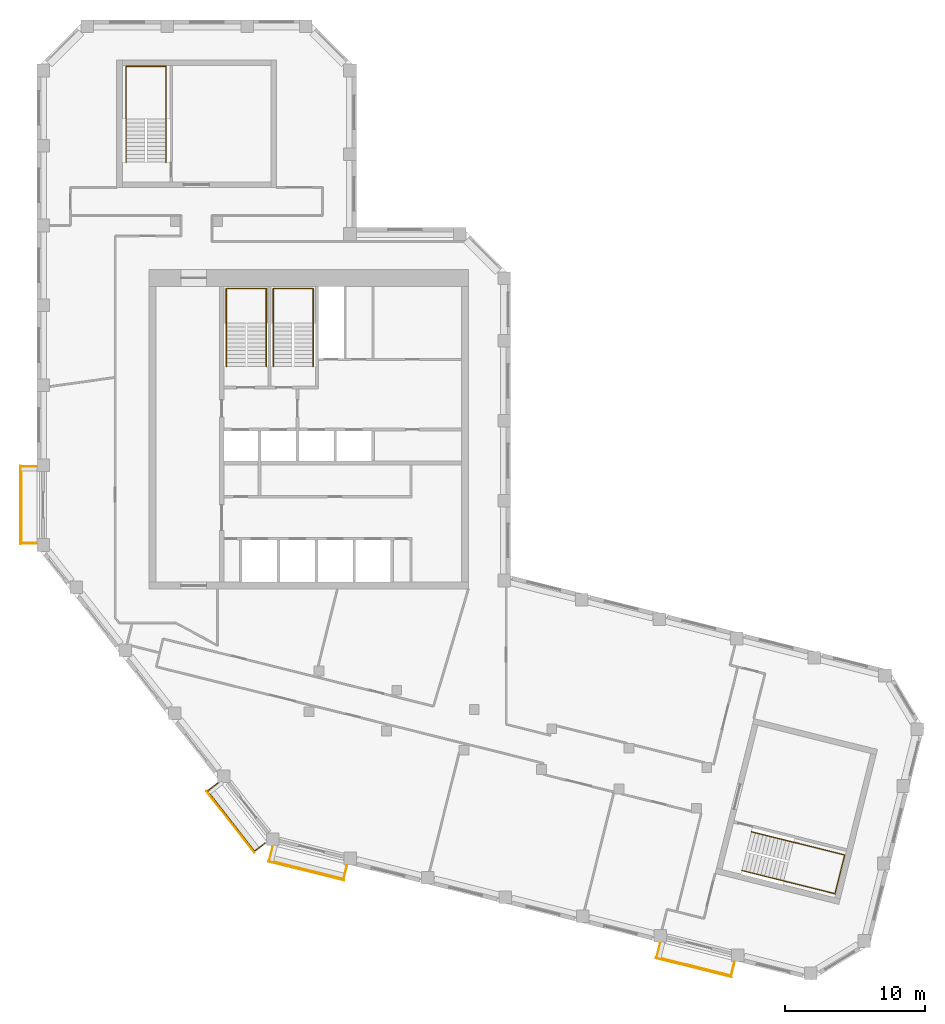
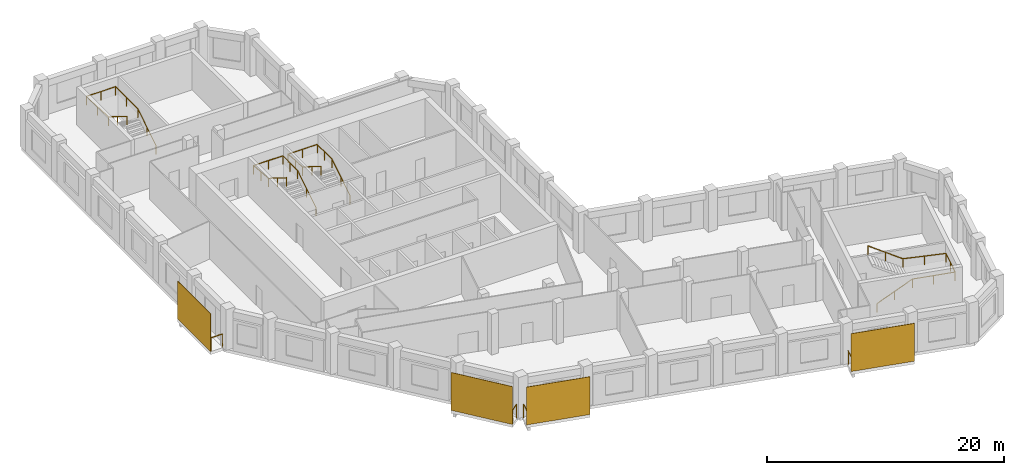
# One storey, part 8 of 8: 8 railings, 4 shading devices.
"""IFC4 building model written with IfcOpenShell, lengths in metres."""

from ifc_helpers import new_model, si_unit, direction, frame, origin, origin_2d, place, context, subcontext, project, spatial, rectangle, circle, extrude, material, layer, layer_set, type_object, element, save


model = new_model("IFC4")

# Units and contexts
model_context = context("Model", 3, precision=1e-05, world=origin(), true_north=direction((0.0, 1.0)))
body_context = subcontext(model_context, "Body", "Model", "MODEL_VIEW")
ifc_project = project(units=[si_unit("LENGTHUNIT", "METRE"), si_unit("AREAUNIT", "SQUARE_METRE"), si_unit("VOLUMEUNIT", "CUBIC_METRE"), si_unit("PLANEANGLEUNIT", "RADIAN"), si_unit("MASSUNIT", "GRAM", prefix="KILO")], contexts=[model_context])

# Site, building, storey
site_placement = place(None, origin())
site = spatial("IfcSite", under=ifc_project, at=site_placement, CompositionType="ELEMENT")
building_placement = place(site_placement, origin())
building = spatial("IfcBuilding", under=site, at=building_placement, Name="Meshkara Civic Tower", CompositionType="ELEMENT")
storey_placement = place(building_placement, frame((0.0, 0.0, 358.199951171875)))
storey = spatial("IfcBuildingStorey", under=building, at=storey_placement, Name="L82", CompositionType="ELEMENT", Elevation=358.199951171875)

# Railings
ifc_material_1 = material(Name="Steel S355", Category="steel")
railing_type_1 = type_object("IfcRailingType", Name="BALUSTRADE GUARD 1400", PredefinedType="BALUSTRADE", material=ifc_material_1)
railing_1_placement = place(storey_placement, frame((0.0, 22.8349609375, 0.0)))
element("IfcRailing", 1, at=railing_1_placement, inside=storey, type_object=railing_type_1, Name="Balcony guard", PredefinedType="BALUSTRADE", context=body_context, shape_type="SweptSolid", body=[
    extrude(circle(Radius=0.02392578125, at=origin_2d()), frame((0.0, 0.0, 1.3759765625), z_axis=(-1.0, 0.0, 0.0), x_axis=(0.0, -1.0, 0.0)), (0.0, 0.0, 1.0), 1.110107421875),
    extrude(circle(Radius=0.02392578125, at=origin_2d()), frame((-1.110107421875, 0.0, 1.3759765625), z_axis=(0.0, -1.0, 0.0), x_axis=(1.0, 0.0, 0.0)), (0.0, 0.0, 1.0), 5.4599609375),
    extrude(circle(Radius=0.02392578125, at=origin_2d()), frame((-1.110107421875, -5.4599609375, 1.3759765625), z_axis=(1.0, 0.0, 0.0), x_axis=(0.0, 1.0, 0.0)), (0.0, 0.0, 1.0), 1.110107421875),
    extrude(circle(Radius=0.02099609375, at=origin_2d()), origin(), (0.0, 0.0, 1.0), 1.351806640625),
    extrude(circle(Radius=0.02099609375, at=origin_2d()), frame((-1.110107421875, 0.0, 0.0)), (0.0, 0.0, 1.0), 1.351806640625),
    extrude(circle(Radius=0.02099609375, at=origin_2d()), frame((-1.110107421875, -1.092041015625, 0.0)), (0.0, 0.0, 1.0), 1.351806640625),
    extrude(circle(Radius=0.02099609375, at=origin_2d()), frame((-1.110107421875, -2.18408203125, 0.0)), (0.0, 0.0, 1.0), 1.351806640625),
    extrude(circle(Radius=0.02099609375, at=origin_2d()), frame((-1.110107421875, -3.27587890625, 0.0)), (0.0, 0.0, 1.0), 1.351806640625),
    extrude(circle(Radius=0.02099609375, at=origin_2d()), frame((-1.110107421875, -4.367919921875, 0.0)), (0.0, 0.0, 1.0), 1.351806640625),
    extrude(circle(Radius=0.02099609375, at=origin_2d()), frame((-1.110107421875, -5.4599609375, 0.0)), (0.0, 0.0, 1.0), 1.351806640625),
    extrude(circle(Radius=0.02099609375, at=origin_2d()), frame((0.0, -5.4599609375, 0.0)), (0.0, 0.0, 1.0), 1.351806640625),
])
railing_2_placement = place(storey_placement, frame((12.91796875, 0.27001953125, 0.0)))
element("IfcRailing", 2, at=railing_2_placement, inside=storey, type_object=railing_type_1, Name="Balcony guard", PredefinedType="BALUSTRADE", context=body_context, shape_type="SweptSolid", body=[
    extrude(circle(Radius=0.02392578125, at=origin_2d()), frame((0.0, 0.0, 1.3759765625), z_axis=(-0.788430880583, -0.615123358801, 0.0), x_axis=(0.615123358801, -0.788430880583, 0.0)), (0.0, 0.0, 1.0), 0.92822265625),
    extrude(circle(Radius=0.02392578125, at=origin_2d()), frame((-0.73193359375, -0.571044921875, 1.3759765625), z_axis=(0.615684818606, -0.787992515281, 0.0), x_axis=(0.787992515281, 0.615684818606, 0.0)), (0.0, 0.0, 1.0), 5.460693359375),
    extrude(circle(Radius=0.02392578125, at=origin_2d()), frame((2.630126953125, -4.8740234375, 1.3759765625), z_axis=(0.787920766417, 0.615776636329, 0.0), x_axis=(-0.615776636329, 0.787920766417, 0.0)), (0.0, 0.0, 1.0), 0.928955078125),
    extrude(circle(Radius=0.02099609375, at=origin_2d()), origin(), (0.0, 0.0, 1.0), 1.351806640625),
    extrude(circle(Radius=0.02099609375, at=origin_2d()), frame((-0.73193359375, -0.571044921875, 0.0)), (0.0, 0.0, 1.0), 1.351806640625),
    extrude(circle(Radius=0.02099609375, at=origin_2d()), frame((-0.0595703125, -1.431640625, 0.0)), (0.0, 0.0, 1.0), 1.351806640625),
    extrude(circle(Radius=0.02099609375, at=origin_2d()), frame((0.61279296875, -2.292236328125, 0.0)), (0.0, 0.0, 1.0), 1.351806640625),
    extrude(circle(Radius=0.02099609375, at=origin_2d()), frame((1.285400390625, -3.15283203125, 0.0)), (0.0, 0.0, 1.0), 1.351806640625),
    extrude(circle(Radius=0.02099609375, at=origin_2d()), frame((1.957763671875, -4.013427734375, 0.0)), (0.0, 0.0, 1.0), 1.351806640625),
    extrude(circle(Radius=0.02099609375, at=origin_2d()), frame((2.630126953125, -4.8740234375, 0.0)), (0.0, 0.0, 1.0), 1.351806640625),
    extrude(circle(Radius=0.02099609375, at=origin_2d()), frame((3.362060546875, -4.302001953125, 0.0)), (0.0, 0.0, 1.0), 1.351806640625),
])
railing_3_placement = place(storey_placement, frame((16.8359375, -4.2958984375, 0.0)))
element("IfcRailing", 3, at=railing_3_placement, inside=storey, type_object=railing_type_1, Name="Balcony guard", PredefinedType="BALUSTRADE", context=body_context, shape_type="SweptSolid", body=[
    extrude(circle(Radius=0.02392578125, at=origin_2d()), frame((0.0, 0.0, 1.3759765625), z_axis=(-0.24213955905, -0.97024143075, 0.0), x_axis=(0.97024143075, -0.24213955905, 0.0)), (0.0, 0.0, 1.0), 1.015380859375),
    extrude(circle(Radius=0.02392578125, at=origin_2d()), frame((-0.245849609375, -0.985107421875, 1.3759765625), z_axis=(0.970289613784, -0.241946410147, 0.0), x_axis=(0.241946410147, 0.970289613784, 0.0)), (0.0, 0.0, 1.0), 5.4599609375),
    extrude(circle(Radius=0.02392578125, at=origin_2d()), frame((5.052001953125, -2.30615234375, 1.3759765625), z_axis=(0.242365897307, 0.970184916303, 0.0), x_axis=(-0.970184916303, 0.242365897307, 0.0)), (0.0, 0.0, 1.0), 1.015380859375),
    extrude(circle(Radius=0.02099609375, at=origin_2d()), origin(), (0.0, 0.0, 1.0), 1.351806640625),
    extrude(circle(Radius=0.02099609375, at=origin_2d()), frame((-0.245849609375, -0.985107421875, 0.0)), (0.0, 0.0, 1.0), 1.351806640625),
    extrude(circle(Radius=0.02099609375, at=origin_2d()), frame((0.813720703125, -1.249267578125, 0.0)), (0.0, 0.0, 1.0), 1.351806640625),
    extrude(circle(Radius=0.02099609375, at=origin_2d()), frame((1.873291015625, -1.513427734375, 0.0)), (0.0, 0.0, 1.0), 1.351806640625),
    extrude(circle(Radius=0.02099609375, at=origin_2d()), frame((2.932861328125, -1.77783203125, 0.0)), (0.0, 0.0, 1.0), 1.351806640625),
    extrude(circle(Radius=0.02099609375, at=origin_2d()), frame((3.992431640625, -2.0419921875, 0.0)), (0.0, 0.0, 1.0), 1.351806640625),
    extrude(circle(Radius=0.02099609375, at=origin_2d()), frame((5.052001953125, -2.30615234375, 0.0)), (0.0, 0.0, 1.0), 1.351806640625),
    extrude(circle(Radius=0.02099609375, at=origin_2d()), frame((5.298095703125, -1.321044921875, 0.0)), (0.0, 0.0, 1.0), 1.351806640625),
])
railing_4_placement = place(storey_placement, frame((44.489013671875, -11.19091796875, 0.0)))
element("IfcRailing", 4, at=railing_4_placement, inside=storey, type_object=railing_type_1, Name="Balcony guard", PredefinedType="BALUSTRADE", context=body_context, shape_type="SweptSolid", body=[
    extrude(circle(Radius=0.02392578125, at=origin_2d()), frame((0.0, 0.0, 1.3759765625), z_axis=(-0.242592252133, -0.970128341615, 0.0), x_axis=(0.970128341615, -0.242592252133, 0.0)), (0.0, 0.0, 1.0), 1.014404296875),
    extrude(circle(Radius=0.02392578125, at=origin_2d()), frame((-0.24609375, -0.984130859375, 1.3759765625), z_axis=(0.970292231073, -0.24193591366, 0.0), x_axis=(0.24193591366, 0.970292231073, 0.0)), (0.0, 0.0, 1.0), 5.460205078125),
    extrude(circle(Radius=0.02392578125, at=origin_2d()), frame((5.052001953125, -2.30517578125, 1.3759765625), z_axis=(0.242592252133, 0.970128341615, 0.0), x_axis=(-0.970128341615, 0.242592252133, 0.0)), (0.0, 0.0, 1.0), 1.014404296875),
    extrude(circle(Radius=0.02099609375, at=origin_2d()), origin(), (0.0, 0.0, 1.0), 1.351806640625),
    extrude(circle(Radius=0.02099609375, at=origin_2d()), frame((-0.24609375, -0.984130859375, 0.0)), (0.0, 0.0, 1.0), 1.351806640625),
    extrude(circle(Radius=0.02099609375, at=origin_2d()), frame((0.8134765625, -1.248291015625, 0.0)), (0.0, 0.0, 1.0), 1.351806640625),
    extrude(circle(Radius=0.02099609375, at=origin_2d()), frame((1.873046875, -1.512451171875, 0.0)), (0.0, 0.0, 1.0), 1.351806640625),
    extrude(circle(Radius=0.02099609375, at=origin_2d()), frame((2.932861328125, -1.77685546875, 0.0)), (0.0, 0.0, 1.0), 1.351806640625),
    extrude(circle(Radius=0.02099609375, at=origin_2d()), frame((3.992431640625, -2.041015625, 0.0)), (0.0, 0.0, 1.0), 1.351806640625),
    extrude(circle(Radius=0.02099609375, at=origin_2d()), frame((5.052001953125, -2.30517578125, 0.0)), (0.0, 0.0, 1.0), 1.351806640625),
    extrude(circle(Radius=0.02099609375, at=origin_2d()), frame((5.298095703125, -1.321044921875, 0.0)), (0.0, 0.0, 1.0), 1.351806640625),
])

# Shading devices
ifc_material_2 = material(Name="Perforated bronze anodised aluminium sheet", Category="aluminium")
ifc_layer = layer(ifc_material_2, 0.0400390625)
ifc_layer_set = layer_set([ifc_layer], Name="PERFORATED BRONZE SCREEN")
shading_device_type = type_object("IfcShadingDeviceType", Name="PERFORATED BRONZE SCREEN", PredefinedType="USERDEFINED", material=ifc_layer_set)
for number, where, z_axis, x_axis, name in (
    (5, (-1.179931640625, 20.10498046875, 0.0), (0.0, 0.0, 1.0), (0.0, -1.0, 0.0), "Balcony screen"),
    (6, (13.81201171875, -2.4951171875, 0.0), (0.0, 0.0, 1.0), (0.615661475326, -0.788010753607, 0.0), "Balcony screen"),
    (7, (19.221923828125, -6.009033203125, 0.0), (0.0, 0.0, 1.0), (0.970295726276, -0.2419218956, 0.0), "Balcony screen"),
    (8, (46.875, -12.904052734375, 0.0), (0.0, 0.0, 1.0), (0.970295726276, -0.2419218956, 0.0), "Balcony screen"),
):
    element("IfcShadingDevice", number, at=place(storey_placement, frame(where, z_axis=z_axis, x_axis=x_axis)), inside=storey, type_object=shading_device_type, Name=name, ObjectType="SCREEN", PredefinedType="USERDEFINED", context=body_context, shape_type="SweptSolid", body=[
        extrude(rectangle(XDim=5.580078125, YDim=0.0400390625, at=origin_2d()), origin(), (0.0, 0.0, 1.0), 3.89990234375),
    ])

# Railings
ifc_material_3 = material(Name="Steel handrail", Category="steel")
railing_type_2 = type_object("IfcRailingType", Name="Stair handrail 900", PredefinedType="HANDRAIL", material=ifc_material_3)
railing_5_placement = place(storey_placement, frame((16.375, 30.0, 0.175048828125)))
element("IfcRailing", 9, at=railing_5_placement, inside=storey, type_object=railing_type_2, Name="L82 ST1 stair handrail 1", PredefinedType="HANDRAIL", context=body_context, shape_type="SweptSolid", body=[
    extrude(circle(Radius=0.02392578125, at=origin_2d()), frame((0.0, 0.0, 0.8759765625), z_axis=(0.0, 0.847998304005, 0.529998940003), x_axis=(-1.0, 0.0, 0.0)), (0.0, 0.0, 1.0), 3.632080078125),
    extrude(circle(Radius=0.02392578125, at=origin_2d()), frame((0.0, 3.080078125, 2.80078125), z_axis=(0.0, 1.0, 0.0), x_axis=(-1.0, 0.0, 0.0)), (0.0, 0.0, 1.0), 2.469970703125),
    extrude(circle(Radius=0.02392578125, at=origin_2d()), frame((0.0, 5.550048828125, 2.80078125), z_axis=(-1.0, 0.0, 0.0), x_axis=(0.0, -1.0, 0.0)), (0.0, 0.0, 1.0), 2.85009765625),
    extrude(circle(Radius=0.02392578125, at=origin_2d()), frame((-2.85009765625, 5.550048828125, 2.80078125), z_axis=(0.0, -0.997498084828, 0.070693498747), x_axis=(1.0, 0.0, 0.0)), (0.0, 0.0, 1.0), 2.47607421875),
    extrude(circle(Radius=0.02392578125, at=origin_2d()), frame((-2.85009765625, 3.080078125, 2.97607421875), z_axis=(0.0, -0.848028513186, 0.529950602248), x_axis=(1.0, 0.0, 0.0)), (0.0, 0.0, 1.0), 3.632080078125),
    extrude(circle(Radius=0.02099609375, at=origin_2d()), origin(), (0.0, 0.0, 1.0), 0.851806640625),
    extrude(circle(Radius=0.02099609375, at=origin_2d()), frame((0.0, 1.5400390625, 0.96240234375)), (0.0, 0.0, 1.0), 0.851806640625),
    extrude(circle(Radius=0.02099609375, at=origin_2d()), frame((0.0, 3.080078125, 1.925048828125)), (0.0, 0.0, 1.0), 0.851806640625),
    extrude(circle(Radius=0.02099609375, at=origin_2d()), frame((0.0, 4.31494140625, 1.925048828125)), (0.0, 0.0, 1.0), 0.851806640625),
    extrude(circle(Radius=0.02099609375, at=origin_2d()), frame((0.0, 5.550048828125, 1.925048828125)), (0.0, 0.0, 1.0), 0.851806640625),
    extrude(circle(Radius=0.02099609375, at=origin_2d()), frame((-1.425048828125, 5.550048828125, 1.925048828125)), (0.0, 0.0, 1.0), 0.851806640625),
    extrude(circle(Radius=0.02099609375, at=origin_2d()), frame((-2.85009765625, 5.550048828125, 1.925048828125)), (0.0, 0.0, 1.0), 0.851806640625),
    extrude(circle(Radius=0.02099609375, at=origin_2d()), frame((-2.85009765625, 4.31494140625, 2.0126953125)), (0.0, 0.0, 1.0), 0.851806640625),
    extrude(circle(Radius=0.02099609375, at=origin_2d()), frame((-2.85009765625, 3.080078125, 2.10009765625)), (0.0, 0.0, 1.0), 0.851806640625),
    extrude(circle(Radius=0.02099609375, at=origin_2d()), frame((-2.85009765625, 1.5400390625, 3.0625)), (0.0, 0.0, 1.0), 0.851806640625),
    extrude(circle(Radius=0.02099609375, at=origin_2d()), frame((-2.85009765625, 0.0, 4.02490234375)), (0.0, 0.0, 1.0), 0.851806640625),
])
railing_6_placement = place(storey_placement, frame((19.72509765625, 30.0, 0.175048828125)))
element("IfcRailing", 10, at=railing_6_placement, inside=storey, type_object=railing_type_2, Name="L82 ST2 stair handrail 1", PredefinedType="HANDRAIL", context=body_context, shape_type="SweptSolid", body=[
    extrude(circle(Radius=0.02392578125, at=origin_2d()), frame((0.0, 0.0, 0.8759765625), z_axis=(0.0, 0.847998304005, 0.529998940003), x_axis=(-1.0, 0.0, 0.0)), (0.0, 0.0, 1.0), 3.632080078125),
    extrude(circle(Radius=0.02392578125, at=origin_2d()), frame((0.0, 3.080078125, 2.80078125), z_axis=(0.0, 1.0, 0.0), x_axis=(-1.0, 0.0, 0.0)), (0.0, 0.0, 1.0), 2.469970703125),
    extrude(circle(Radius=0.02392578125, at=origin_2d()), frame((0.0, 5.550048828125, 2.80078125), z_axis=(-1.0, 0.0, 0.0), x_axis=(0.0, -1.0, 0.0)), (0.0, 0.0, 1.0), 2.85009765625),
    extrude(circle(Radius=0.02392578125, at=origin_2d()), frame((-2.85009765625, 5.550048828125, 2.80078125), z_axis=(0.0, -0.997498084828, 0.070693498747), x_axis=(1.0, 0.0, 0.0)), (0.0, 0.0, 1.0), 2.47607421875),
    extrude(circle(Radius=0.02392578125, at=origin_2d()), frame((-2.85009765625, 3.080078125, 2.97607421875), z_axis=(0.0, -0.848028513186, 0.529950602248), x_axis=(1.0, 0.0, 0.0)), (0.0, 0.0, 1.0), 3.632080078125),
    extrude(circle(Radius=0.02099609375, at=origin_2d()), origin(), (0.0, 0.0, 1.0), 0.851806640625),
    extrude(circle(Radius=0.02099609375, at=origin_2d()), frame((0.0, 1.5400390625, 0.96240234375)), (0.0, 0.0, 1.0), 0.851806640625),
    extrude(circle(Radius=0.02099609375, at=origin_2d()), frame((0.0, 3.080078125, 1.925048828125)), (0.0, 0.0, 1.0), 0.851806640625),
    extrude(circle(Radius=0.02099609375, at=origin_2d()), frame((0.0, 4.31494140625, 1.925048828125)), (0.0, 0.0, 1.0), 0.851806640625),
    extrude(circle(Radius=0.02099609375, at=origin_2d()), frame((0.0, 5.550048828125, 1.925048828125)), (0.0, 0.0, 1.0), 0.851806640625),
    extrude(circle(Radius=0.02099609375, at=origin_2d()), frame((-1.425048828125, 5.550048828125, 1.925048828125)), (0.0, 0.0, 1.0), 0.851806640625),
    extrude(circle(Radius=0.02099609375, at=origin_2d()), frame((-2.85009765625, 5.550048828125, 1.925048828125)), (0.0, 0.0, 1.0), 0.851806640625),
    extrude(circle(Radius=0.02099609375, at=origin_2d()), frame((-2.85009765625, 4.31494140625, 2.0126953125)), (0.0, 0.0, 1.0), 0.851806640625),
    extrude(circle(Radius=0.02099609375, at=origin_2d()), frame((-2.85009765625, 3.080078125, 2.10009765625)), (0.0, 0.0, 1.0), 0.851806640625),
    extrude(circle(Radius=0.02099609375, at=origin_2d()), frame((-2.85009765625, 1.5400390625, 3.0625)), (0.0, 0.0, 1.0), 0.851806640625),
    extrude(circle(Radius=0.02099609375, at=origin_2d()), frame((-2.85009765625, 0.0, 4.02490234375)), (0.0, 0.0, 1.0), 0.851806640625),
])
railing_7_placement = place(storey_placement, frame((9.22509765625, 44.570068359375, 0.175048828125)))
element("IfcRailing", 11, at=railing_7_placement, inside=storey, type_object=railing_type_2, Name="L82 ESA6 stair handrail 1", PredefinedType="HANDRAIL", context=body_context, shape_type="SweptSolid", body=[
    extrude(circle(Radius=0.02392578125, at=origin_2d()), frame((0.0, 0.0, 0.8759765625), z_axis=(0.0, 0.847979421464, 0.530029150871), x_axis=(-1.0, 0.0, 0.0)), (0.0, 0.0, 1.0), 3.632080078125),
    extrude(circle(Radius=0.02392578125, at=origin_2d()), frame((0.0, 3.079833984375, 2.80078125), z_axis=(0.0, 1.0, 0.0), x_axis=(-1.0, 0.0, 0.0)), (0.0, 0.0, 1.0), 3.77001953125),
    extrude(circle(Radius=0.02392578125, at=origin_2d()), frame((0.0, 6.849853515625, 2.80078125), z_axis=(-1.0, 0.0, 0.0), x_axis=(0.0, -1.0, 0.0)), (0.0, 0.0, 1.0), 2.85009765625),
    extrude(circle(Radius=0.02392578125, at=origin_2d()), frame((-2.85009765625, 6.849853515625, 2.80078125), z_axis=(0.0, -0.9989237834, 0.046381838667), x_axis=(1.0, 0.0, 0.0)), (0.0, 0.0, 1.0), 3.774169921875),
    extrude(circle(Radius=0.02392578125, at=origin_2d()), frame((-2.85009765625, 3.079833984375, 2.97607421875), z_axis=(0.0, -0.848009633417, 0.529980812513), x_axis=(1.0, 0.0, 0.0)), (0.0, 0.0, 1.0), 3.6318359375),
    extrude(circle(Radius=0.02099609375, at=origin_2d()), origin(), (0.0, 0.0, 1.0), 0.851806640625),
    extrude(circle(Radius=0.02099609375, at=origin_2d()), frame((0.0, 1.5400390625, 0.96240234375)), (0.0, 0.0, 1.0), 0.851806640625),
    extrude(circle(Radius=0.02099609375, at=origin_2d()), frame((0.0, 3.079833984375, 1.925048828125)), (0.0, 0.0, 1.0), 0.851806640625),
    extrude(circle(Radius=0.02099609375, at=origin_2d()), frame((0.0, 4.96484375, 1.925048828125)), (0.0, 0.0, 1.0), 0.851806640625),
    extrude(circle(Radius=0.02099609375, at=origin_2d()), frame((0.0, 6.849853515625, 1.925048828125)), (0.0, 0.0, 1.0), 0.851806640625),
    extrude(circle(Radius=0.02099609375, at=origin_2d()), frame((-1.425048828125, 6.849853515625, 1.925048828125)), (0.0, 0.0, 1.0), 0.851806640625),
    extrude(circle(Radius=0.02099609375, at=origin_2d()), frame((-2.85009765625, 6.849853515625, 1.925048828125)), (0.0, 0.0, 1.0), 0.851806640625),
    extrude(circle(Radius=0.02099609375, at=origin_2d()), frame((-2.85009765625, 4.96484375, 2.0126953125)), (0.0, 0.0, 1.0), 0.851806640625),
    extrude(circle(Radius=0.02099609375, at=origin_2d()), frame((-2.85009765625, 3.079833984375, 2.10009765625)), (0.0, 0.0, 1.0), 0.851806640625),
    extrude(circle(Radius=0.02099609375, at=origin_2d()), frame((-2.85009765625, 1.5400390625, 3.0625)), (0.0, 0.0, 1.0), 0.851806640625),
    extrude(circle(Radius=0.02099609375, at=origin_2d()), frame((-2.85009765625, 0.0, 4.02490234375)), (0.0, 0.0, 1.0), 0.851806640625),
])
railing_8_placement = place(storey_placement, frame((50.31884765625, -5.975341796875, 0.175048828125)))
element("IfcRailing", 12, at=railing_8_placement, inside=storey, type_object=railing_type_2, Name="L82 ESB6 stair handrail 1", PredefinedType="HANDRAIL", context=body_context, shape_type="SweptSolid", body=[
    extrude(circle(Radius=0.02392578125, at=origin_2d()), frame((0.0, 0.0, 0.8759765625), z_axis=(0.822816010835, -0.205082235851, 0.530014234575), x_axis=(0.241845469214, 0.970314778317, 0.0)), (0.0, 0.0, 1.0), 3.632080078125),
    extrude(circle(Radius=0.02392578125, at=origin_2d()), frame((2.988525390625, -0.744873046875, 2.80078125), z_axis=(0.970325068916, -0.241804178279, 0.0), x_axis=(0.241804178279, 0.970325068916, 0.0)), (0.0, 0.0, 1.0), 3.77001953125),
    extrude(circle(Radius=0.02392578125, at=origin_2d()), frame((6.646728515625, -1.656494140625, 2.80078125), z_axis=(0.24183009087, 0.970318611153, 0.0), x_axis=(-0.970318611153, 0.24183009087, 0.0)), (0.0, 0.0, 1.0), 2.849853515625),
    extrude(circle(Radius=0.02392578125, at=origin_2d()), frame((7.3359375, 1.10888671875, 2.80078125), z_axis=(-0.969265675791, 0.241604865128, 0.046380371699), x_axis=(-0.241865147941, -0.970309873294, 0.0)), (0.0, 0.0, 1.0), 3.774169921875),
    extrude(circle(Radius=0.02392578125, at=origin_2d()), frame((3.677734375, 2.020751953125, 2.97607421875), z_axis=(-0.822856666903, 0.205025147787, 0.529973201688), x_axis=(-0.241770835762, -0.970333377234, 0.0)), (0.0, 0.0, 1.0), 3.6318359375),
    extrude(circle(Radius=0.02099609375, at=origin_2d()), origin(), (0.0, 0.0, 1.0), 0.851806640625),
    extrude(circle(Radius=0.02099609375, at=origin_2d()), frame((1.494140625, -0.37255859375, 0.96240234375)), (0.0, 0.0, 1.0), 0.851806640625),
    extrude(circle(Radius=0.02099609375, at=origin_2d()), frame((2.988525390625, -0.744873046875, 1.925048828125)), (0.0, 0.0, 1.0), 0.851806640625),
    extrude(circle(Radius=0.02099609375, at=origin_2d()), frame((4.817626953125, -1.20068359375, 1.925048828125)), (0.0, 0.0, 1.0), 0.851806640625),
    extrude(circle(Radius=0.02099609375, at=origin_2d()), frame((6.646728515625, -1.656494140625, 1.925048828125)), (0.0, 0.0, 1.0), 0.851806640625),
    extrude(circle(Radius=0.02099609375, at=origin_2d()), frame((6.9912109375, -0.27392578125, 1.925048828125)), (0.0, 0.0, 1.0), 0.851806640625),
    extrude(circle(Radius=0.02099609375, at=origin_2d()), frame((7.3359375, 1.10888671875, 1.925048828125)), (0.0, 0.0, 1.0), 0.851806640625),
    extrude(circle(Radius=0.02099609375, at=origin_2d()), frame((5.5068359375, 1.56494140625, 2.0126953125)), (0.0, 0.0, 1.0), 0.851806640625),
    extrude(circle(Radius=0.02099609375, at=origin_2d()), frame((3.677734375, 2.020751953125, 2.10009765625)), (0.0, 0.0, 1.0), 0.851806640625),
    extrude(circle(Radius=0.02099609375, at=origin_2d()), frame((2.18359375, 2.39306640625, 3.0625)), (0.0, 0.0, 1.0), 0.851806640625),
    extrude(circle(Radius=0.02099609375, at=origin_2d()), frame((0.689208984375, 2.765380859375, 4.02490234375)), (0.0, 0.0, 1.0), 0.851806640625),
])

save(model, "model.ifc")
